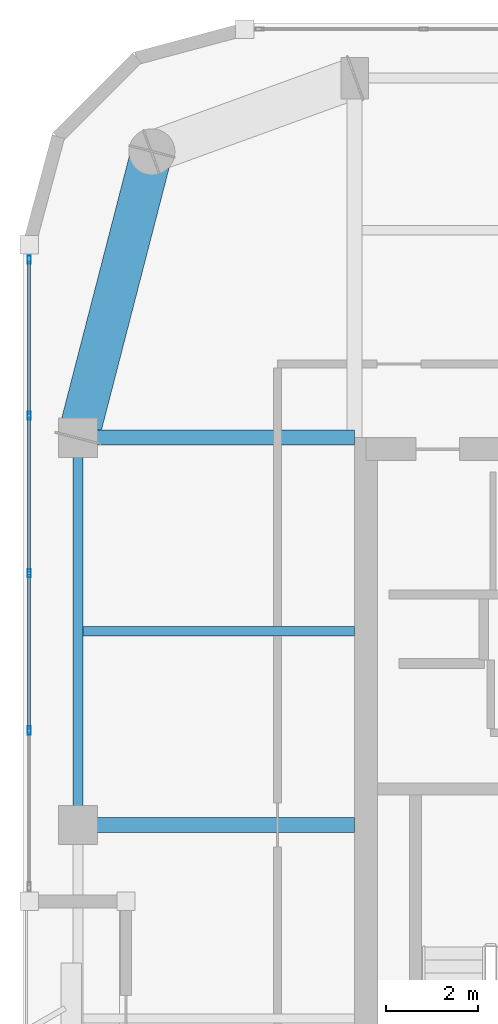
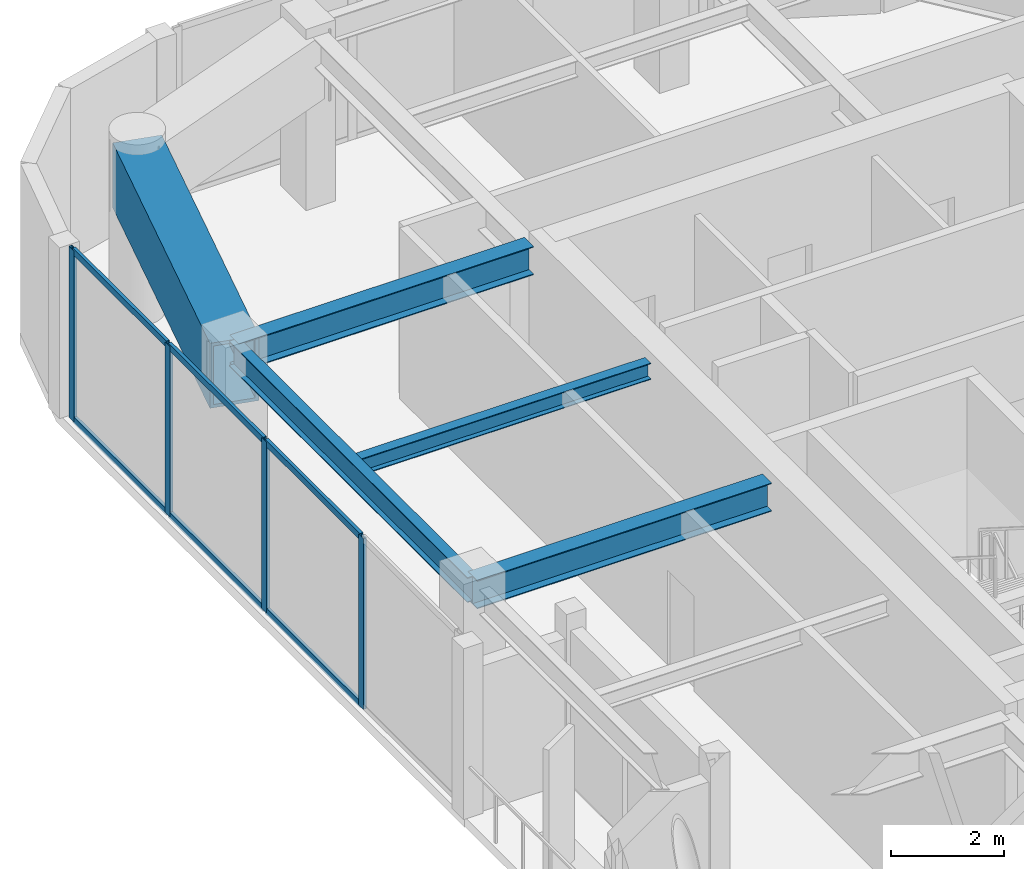
# One storey, part 4 of 15: 10 members, 5 beams, 1 element without a shape of its own.
"""IFC4 building model written with IfcOpenShell, lengths in metres."""

from ifc_helpers import new_model, si_unit, direction, frame, origin, origin_2d, place, context, subcontext, project, spatial, hollow_rectangle, i_section, extrude, material, layer, layer_set, material_profile, profile_set, type_object, element, aggregate, save


model = new_model("IFC4")

# Units and contexts
model_context = context("Model", 3, precision=1e-05, world=origin(), true_north=direction((0.0, 1.0)))
body_context = subcontext(model_context, "Body", "Model", "MODEL_VIEW")
ifc_project = project(units=[si_unit("LENGTHUNIT", "METRE"), si_unit("AREAUNIT", "SQUARE_METRE"), si_unit("VOLUMEUNIT", "CUBIC_METRE"), si_unit("PLANEANGLEUNIT", "RADIAN"), si_unit("MASSUNIT", "GRAM", prefix="KILO")], contexts=[model_context])

# Site, building, storey
site_placement = place(None, origin())
site = spatial("IfcSite", under=ifc_project, at=site_placement, CompositionType="ELEMENT")
building_placement = place(site_placement, origin())
building = spatial("IfcBuilding", under=site, at=building_placement, Name="Kiyonajd Concourse Tower", CompositionType="ELEMENT")
storey_placement = place(building_placement, frame((0.0, 0.0, 318.0)))
storey = spatial("IfcBuildingStorey", under=building, at=storey_placement, Name="L80", CompositionType="ELEMENT", Elevation=318.0)

# Beams
ifc_material_1 = material(Name="Steel ASTM A992 Grade 50", Category="steel")
ifc_material_profile_1 = material_profile(ifc_material_1, i_section(OverallWidth=0.205078125, OverallDepth=0.35400390625, WebThickness=0.009521484375, FlangeThickness=0.016845703125, at=origin_2d()), Name="W360X79")
ifc_profile_set_1 = profile_set([ifc_material_profile_1], Name="Steel ASTM A992 Grade 50")
beam_type_1 = type_object("IfcBeamType", Name="BM-JST-360", PredefinedType="JOIST", material=ifc_profile_set_1)
beam_1_placement = place(storey_placement, frame((26.505615234375, 40.199951171875, 3.5029296875), z_axis=(1.0, 0.0, 0.0), x_axis=(0.0, 1.0, 0.0)))
element("IfcBeam", 1, at=beam_1_placement, inside=storey, type_object=beam_type_1, Name="L80 West Secondary Floor Joist", PredefinedType="JOIST", context=body_context, shape_type="SweptSolid", body=[
    extrude(i_section(OverallWidth=0.205078125, OverallDepth=0.35400390625, WebThickness=0.009521484375, FlangeThickness=0.016845703125, at=origin_2d()), origin(), (0.0, 0.0, 1.0), 5.894287109375),
])
ifc_material_profile_2 = material_profile(ifc_material_1, i_section(OverallWidth=0.2109375, OverallDepth=0.5390625, WebThickness=0.01171875, FlangeThickness=0.018798828125, at=origin_2d()), Name="W530X109")
ifc_profile_set_2 = profile_set([ifc_material_profile_2], Name="Steel ASTM A992 Grade 50")
beam_type_2 = type_object("IfcBeamType", Name="BM-SPAN-530B", PredefinedType="SPANDREL", material=ifc_profile_set_2)
beam_2_placement = place(storey_placement, frame((26.39990234375, 44.39990234375, 3.410400390625), z_axis=(0.0, -1.0, 0.0), x_axis=(1.0, 0.0, 0.0)))
element("IfcBeam", 2, at=beam_2_placement, inside=storey, type_object=beam_type_2, Name="L80 Perimeter Bundled Tube Spandrel", PredefinedType="SPANDREL", context=body_context, shape_type="SweptSolid", body=[
    extrude(i_section(OverallWidth=0.2109375, OverallDepth=0.5390625, WebThickness=0.01171875, FlangeThickness=0.018798828125, at=origin_2d()), origin(), (0.0, 0.0, 1.0), 8.39990234375),
])
ifc_material_profile_3 = material_profile(ifc_material_1, i_section(OverallWidth=0.323974609375, OverallDepth=0.611083984375, WebThickness=0.0126953125, FlangeThickness=0.01904296875, at=origin_2d()), Name="W610X155")
ifc_profile_set_3 = profile_set([ifc_material_profile_3], Name="Steel ASTM A992 Grade 50")
beam_type_3 = type_object("IfcBeamType", Name="BM-TWR-610B", PredefinedType="BEAM", material=ifc_profile_set_3)
for number, where, z_axis, x_axis, name in (
    (3, (26.39990234375, 36.0, 3.37451171875), (1.0, 0.0, 0.0), (0.0, 1.0, 0.0), "L80 West Lease Girder"),
    (4, (26.39990234375, 44.39990234375, 3.37451171875), (1.0, 0.0, 0.0), (0.0, 1.0, 0.0), "L80 West Lease Girder"),
):
    element("IfcBeam", number, at=place(storey_placement, frame(where, z_axis=z_axis, x_axis=x_axis)), inside=storey, type_object=beam_type_3, Name=name, PredefinedType="BEAM", context=body_context, shape_type="SweptSolid", body=[
        extrude(i_section(OverallWidth=0.323974609375, OverallDepth=0.611083984375, WebThickness=0.0126953125, FlangeThickness=0.01904296875, at=origin_2d()), origin(), (0.0, 0.0, 1.0), 6.0),
    ])
ifc_material_2 = material(Name="Steel ASTM A572 Grade 50", Category="steel")
ifc_material_profile_4 = material_profile(ifc_material_2, hollow_rectangle(XDim=0.89990234375, YDim=1.39990234375, WallThickness=0.070068359375, at=origin_2d()), Name="BOX-1400x900x70")
ifc_profile_set_4 = profile_set([ifc_material_profile_4], Name="Steel ASTM A572 Grade 50")
beam_type_4 = type_object("IfcBeamType", Name="BM-XFER-1400", PredefinedType="BEAM", material=ifc_profile_set_4)
beam_3_placement = place(storey_placement, frame((28.0, 50.60009765625, 2.97998046875), z_axis=(-0.249884937687, -0.968275538221, 0.0), x_axis=(0.968275538221, -0.249884937687, 0.0)))
element("IfcBeam", 5, at=beam_3_placement, inside=storey, type_object=beam_type_4, Name="L80 Perimeter Bundled Tube Spandrel", PredefinedType="BEAM", context=body_context, shape_type="SweptSolid", body=[
    extrude(hollow_rectangle(XDim=0.89990234375, YDim=1.39990234375, WallThickness=0.070068359375, at=origin_2d()), origin(), (0.0, 0.0, 1.0), 6.4033203125),
])

# Curtain wall, members
ifc_material_3 = material(Name="Thermally Broken Anodised Aluminium", Category="aluminium")
ifc_layer = layer(ifc_material_3, 0.179931640625)
ifc_layer_set = layer_set([ifc_layer], Name="Thermally Broken Anodised Aluminium")
curtain_wall_type = type_object("IfcCurtainWallType", Name="CW-SYS-04", PredefinedType="NOTDEFINED", material=ifc_layer_set)
curtain_wall_placement = place(storey_placement, origin())
curtain_wall = element("IfcCurtainWall", 6, at=curtain_wall_placement, inside=storey, type_object=curtain_wall_type, Name="L80 Unitised Curtain Wall CW4", PredefinedType="NOTDEFINED")
ifc_material_profile_5 = material_profile(ifc_material_3, hollow_rectangle(XDim=0.06494140625, YDim=0.179931640625, WallThickness=0.00390625, at=origin_2d()), Name="MULL-65x180")
ifc_profile_set_5 = profile_set([ifc_material_profile_5], Name="Thermally Broken Anodised Aluminium")
member_type_1 = type_object("IfcMemberType", Name="MB-CW-MULL1", PredefinedType="MULLION", material=ifc_profile_set_5)
member_1_placement = place(storey_placement, frame((25.340087890625, 38.04541015625, 0.0), z_axis=(0.0, 0.0, 1.0), x_axis=(-1.0, 0.0, 0.0)))
member_1 = element("IfcMember", 7, at=member_1_placement, type_object=member_type_1, Name="CW4 mullion 2", PredefinedType="MULLION", context=body_context, shape_type="SweptSolid", body=[
    extrude(hollow_rectangle(XDim=0.06494140625, YDim=0.179931640625, WallThickness=0.00390625, at=origin_2d()), origin(), (0.0, 0.0, 1.0), 3.679931640625),
])
member_2_placement = place(storey_placement, frame((25.340087890625, 41.460693359375, 0.0), z_axis=(0.0, 0.0, 1.0), x_axis=(-1.0, 0.0, 0.0)))
member_2 = element("IfcMember", 8, at=member_2_placement, type_object=member_type_1, Name="CW4 mullion 3", PredefinedType="MULLION", context=body_context, shape_type="SweptSolid", body=[
    extrude(hollow_rectangle(XDim=0.06494140625, YDim=0.179931640625, WallThickness=0.00390625, at=origin_2d()), origin(), (0.0, 0.0, 1.0), 3.679931640625),
])
member_3_placement = place(storey_placement, frame((25.340087890625, 44.876220703125, 0.0), z_axis=(0.0, 0.0, 1.0), x_axis=(-1.0, 0.0, 0.0)))
member_3 = element("IfcMember", 9, at=member_3_placement, type_object=member_type_1, Name="CW4 mullion 4", PredefinedType="MULLION", context=body_context, shape_type="SweptSolid", body=[
    extrude(hollow_rectangle(XDim=0.06494140625, YDim=0.179931640625, WallThickness=0.00390625, at=origin_2d()), origin(), (0.0, 0.0, 1.0), 3.679931640625),
])
member_4_placement = place(storey_placement, frame((25.340087890625, 48.259033203125, 0.0), z_axis=(0.0, 0.0, 1.0), x_axis=(-1.0, 0.0, 0.0)))
member_4 = element("IfcMember", 10, at=member_4_placement, type_object=member_type_1, Name="CW4 mullion 5", PredefinedType="MULLION", context=body_context, shape_type="SweptSolid", body=[
    extrude(hollow_rectangle(XDim=0.06494140625, YDim=0.179931640625, WallThickness=0.00390625, at=origin_2d()), origin(), (0.0, 0.0, 1.0), 3.679931640625),
])
ifc_material_profile_6 = material_profile(ifc_material_3, hollow_rectangle(XDim=0.06494140625, YDim=0.139892578125, WallThickness=0.00390625, at=origin_2d()), Name="TRAN-65x140")
ifc_profile_set_6 = profile_set([ifc_material_profile_6], Name="Thermally Broken Anodised Aluminium")
member_type_2 = type_object("IfcMemberType", Name="MB-CW-TRAN1", PredefinedType="USERDEFINED", material=ifc_profile_set_6)
member_5_placement = place(storey_placement, frame((25.340087890625, 38.077880859375, 0.032470703125), z_axis=(0.0, 1.0, 0.0), x_axis=(-1.0, 0.0, 0.0)))
member_5 = element("IfcMember", 11, at=member_5_placement, type_object=member_type_2, Name="CW4 transom 2.1", ObjectType="TRANSOM", PredefinedType="USERDEFINED", context=body_context, shape_type="SweptSolid", body=[
    extrude(hollow_rectangle(XDim=0.06494140625, YDim=0.139892578125, WallThickness=0.00390625, at=origin_2d()), origin(), (0.0, 0.0, 1.0), 3.350341796875),
])
member_6_placement = place(storey_placement, frame((25.340087890625, 38.077880859375, 3.6474609375), z_axis=(0.0, 1.0, 0.0), x_axis=(-1.0, 0.0, 0.0)))
member_6 = element("IfcMember", 12, at=member_6_placement, type_object=member_type_2, Name="CW4 transom 2.2", ObjectType="TRANSOM", PredefinedType="USERDEFINED", context=body_context, shape_type="SweptSolid", body=[
    extrude(hollow_rectangle(XDim=0.06494140625, YDim=0.139892578125, WallThickness=0.00390625, at=origin_2d()), origin(), (0.0, 0.0, 1.0), 3.350341796875),
])
member_7_placement = place(storey_placement, frame((25.340087890625, 41.493408203125, 0.032470703125), z_axis=(0.0, 1.0, 0.0), x_axis=(-1.0, 0.0, 0.0)))
member_7 = element("IfcMember", 13, at=member_7_placement, type_object=member_type_2, Name="CW4 transom 3.1", ObjectType="TRANSOM", PredefinedType="USERDEFINED", context=body_context, shape_type="SweptSolid", body=[
    extrude(hollow_rectangle(XDim=0.06494140625, YDim=0.139892578125, WallThickness=0.00390625, at=origin_2d()), origin(), (0.0, 0.0, 1.0), 3.350341796875),
])
member_8_placement = place(storey_placement, frame((25.340087890625, 41.493408203125, 3.6474609375), z_axis=(0.0, 1.0, 0.0), x_axis=(-1.0, 0.0, 0.0)))
member_8 = element("IfcMember", 14, at=member_8_placement, type_object=member_type_2, Name="CW4 transom 3.2", ObjectType="TRANSOM", PredefinedType="USERDEFINED", context=body_context, shape_type="SweptSolid", body=[
    extrude(hollow_rectangle(XDim=0.06494140625, YDim=0.139892578125, WallThickness=0.00390625, at=origin_2d()), origin(), (0.0, 0.0, 1.0), 3.350341796875),
])
member_9_placement = place(storey_placement, frame((25.340087890625, 44.90869140625, 0.032470703125), z_axis=(0.0, 1.0, 0.0), x_axis=(-1.0, 0.0, 0.0)))
member_9 = element("IfcMember", 15, at=member_9_placement, type_object=member_type_2, Name="CW4 transom 4.1", ObjectType="TRANSOM", PredefinedType="USERDEFINED", context=body_context, shape_type="SweptSolid", body=[
    extrude(hollow_rectangle(XDim=0.06494140625, YDim=0.139892578125, WallThickness=0.00390625, at=origin_2d()), origin(), (0.0, 0.0, 1.0), 3.31787109375),
])
member_10_placement = place(storey_placement, frame((25.340087890625, 44.90869140625, 3.6474609375), z_axis=(0.0, 1.0, 0.0), x_axis=(-1.0, 0.0, 0.0)))
member_10 = element("IfcMember", 16, at=member_10_placement, type_object=member_type_2, Name="CW4 transom 4.2", ObjectType="TRANSOM", PredefinedType="USERDEFINED", context=body_context, shape_type="SweptSolid", body=[
    extrude(hollow_rectangle(XDim=0.06494140625, YDim=0.139892578125, WallThickness=0.00390625, at=origin_2d()), origin(), (0.0, 0.0, 1.0), 3.31787109375),
])
aggregate(curtain_wall, [member_1, member_2, member_3, member_4, member_5, member_6, member_7, member_8, member_9, member_10])

save(model, "model.ifc")
